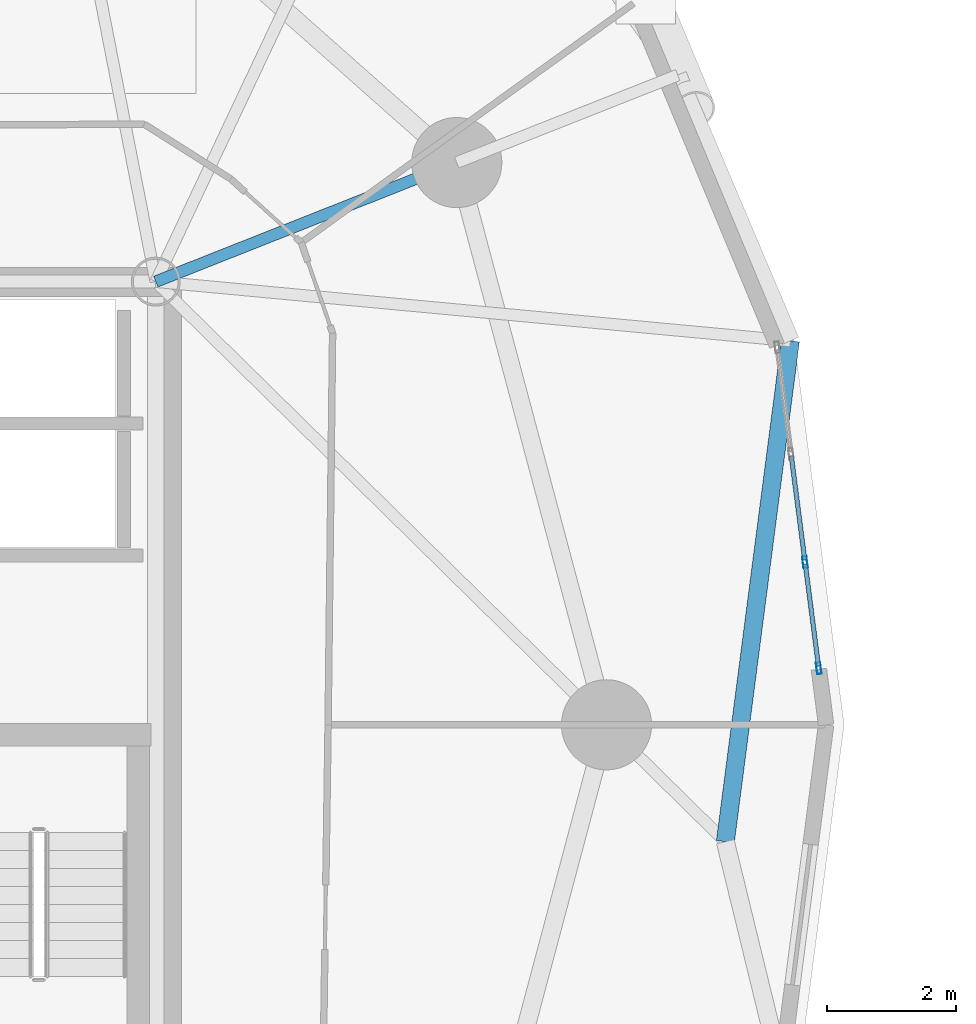
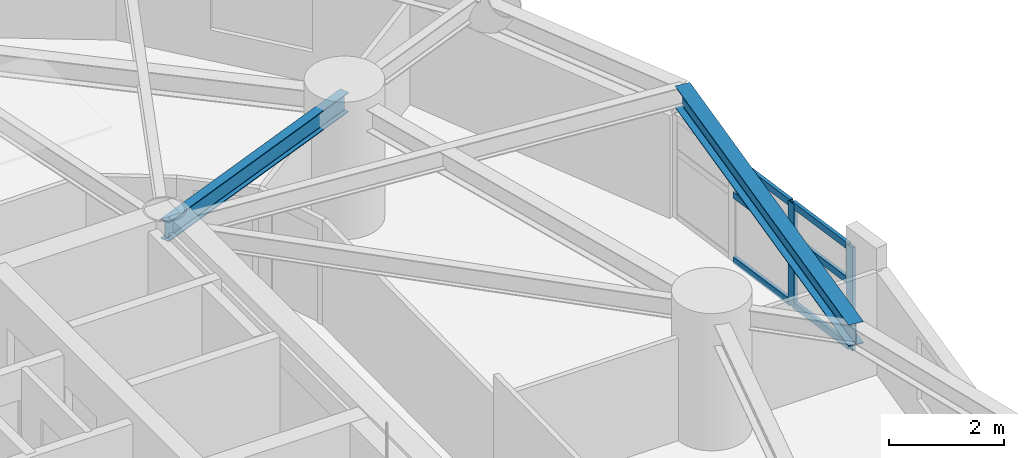
# One storey, part 2 of 18: 8 members, 2 beams, 1 element without a shape of its own.
"""IFC4 building model written with IfcOpenShell, lengths in metres."""

from ifc_helpers import new_model, si_unit, direction, frame, origin, origin_2d, place, context, subcontext, project, spatial, hollow_rectangle, i_section, extrude, material, layer, layer_set, material_profile, profile_set, type_object, element, aggregate, save


model = new_model("IFC4")

# Units and contexts
model_context = context("Model", 3, precision=1e-05, world=origin(), true_north=direction((0.0, 1.0)))
body_context = subcontext(model_context, "Body", "Model", "MODEL_VIEW")
ifc_project = project(units=[si_unit("LENGTHUNIT", "METRE"), si_unit("AREAUNIT", "SQUARE_METRE"), si_unit("VOLUMEUNIT", "CUBIC_METRE"), si_unit("PLANEANGLEUNIT", "RADIAN"), si_unit("MASSUNIT", "GRAM", prefix="KILO")], contexts=[model_context])

# Site, building, storey
site_placement = place(None, origin())
site = spatial("IfcSite", under=ifc_project, at=site_placement, CompositionType="ELEMENT")
building_placement = place(site_placement, origin())
building = spatial("IfcBuilding", under=site, at=building_placement, Name="Cununo Teusaquillo Station Towers", CompositionType="ELEMENT")
storey_placement = place(building_placement, frame((0.0, 0.0, 102.159912109375)))
storey = spatial("IfcBuildingStorey", under=building, at=storey_placement, Name="L32", CompositionType="ELEMENT", Elevation=102.159912109375)

# Beams
ifc_material_1 = material(Name="Steel ASTM A572 Grade 50", Category="steel")
ifc_material_profile_1 = material_profile(ifc_material_1, i_section(OverallWidth=0.180908203125, OverallDepth=0.4169921875, WebThickness=0.010986328125, FlangeThickness=0.018310546875, FilletRadius=0.012939453125, at=origin_2d()), Name="W16X57")
ifc_profile_set_1 = profile_set([ifc_material_profile_1], Name="Steel ASTM A572 Grade 50")
beam_type_1 = type_object("IfcBeamType", Name="BM-RAD-G2", PredefinedType="BEAM", material=ifc_profile_set_1)
beam_1_placement = place(storey_placement, frame((21.675048828125, 31.3798828125, 2.461669921875), z_axis=(0.929864104313, 0.367903176814, 0.0), x_axis=(-0.367903176814, 0.929864104313, 0.0)))
element("IfcBeam", 1, at=beam_1_placement, inside=storey, type_object=beam_type_1, Name="L32 Tower A Radial Girder 02A", PredefinedType="BEAM", context=body_context, shape_type="SweptSolid", body=[
    extrude(i_section(OverallWidth=0.180908203125, OverallDepth=0.4169921875, WebThickness=0.010986328125, FlangeThickness=0.018310546875, FilletRadius=0.012939453125, at=origin_2d()), origin(), (0.0, 0.0, 1.0), 5.02490234375),
])
ifc_material_2 = material(Name="Steel ASTM A572 Grade 50", Category="steel")
ifc_material_profile_2 = material_profile(ifc_material_2, i_section(OverallWidth=0.280029296875, OverallDepth=0.462890625, WebThickness=0.0107421875, FlangeThickness=0.017333984375, FilletRadius=0.013916015625, at=origin_2d()), Name="W18X76")
ifc_profile_set_2 = profile_set([ifc_material_profile_2], Name="Steel ASTM A572 Grade 50")
beam_type_2 = type_object("IfcBeamType", Name="BM-RING-Z2", PredefinedType="SPANDREL", material=ifc_profile_set_2)
beam_2_placement = place(storey_placement, frame((30.51708984375, 22.685791015625, 2.4384765625), z_axis=(0.12888124113, 0.991660035337, 0.0), x_axis=(-0.991660035337, 0.12888124113, 0.0)))
element("IfcBeam", 2, at=beam_2_placement, inside=storey, type_object=beam_type_2, Name="L32 Tower A Spandrel Ring Beam 01", PredefinedType="SPANDREL", context=body_context, shape_type="SweptSolid", body=[
    extrude(i_section(OverallWidth=0.280029296875, OverallDepth=0.462890625, WebThickness=0.0107421875, FlangeThickness=0.017333984375, FilletRadius=0.013916015625, at=origin_2d()), origin(), (0.0, 0.0, 1.0), 7.840576171875),
])

# Curtain wall, members
ifc_material_3 = material(Name="Ceramic-fritted dark low-E double glazing", Category="glass")
ifc_layer = layer(ifc_material_3, 0.179931640625)
ifc_layer_set = layer_set([ifc_layer], Name="Ceramic-fritted dark low-E double glazing")
curtain_wall_type = type_object("IfcCurtainWallType", Name="CW-SYS-04", PredefinedType="USERDEFINED", material=ifc_layer_set)
curtain_wall_placement = place(storey_placement, origin())
curtain_wall = element("IfcCurtainWall", 3, at=curtain_wall_placement, inside=storey, type_object=curtain_wall_type, Name="L32 Tower A Facade Curtain Wall C00", ObjectType="FRITTED GLAZING", PredefinedType="USERDEFINED")
ifc_material_4 = material(Name="Anodised dark bronze aluminium EN AW-6063-T6", Category="aluminium")
ifc_material_profile_3 = material_profile(ifc_material_4, hollow_rectangle(XDim=0.070068359375, YDim=0.179931640625, WallThickness=0.00390625, at=origin_2d()), Name="CW-MULL-70x180")
ifc_profile_set_3 = profile_set([ifc_material_profile_3], Name="Anodised dark bronze aluminium EN AW-6063-T6")
member_type_1 = type_object("IfcMemberType", Name="CWM-180", PredefinedType="MULLION", material=ifc_profile_set_3)
member_1_placement = place(storey_placement, frame((31.754150390625, 27.0263671875, 0.0), z_axis=(0.0, 0.0, 1.0), x_axis=(0.991730764367, 0.128335852387, 0.0)))
member_1 = element("IfcMember", 4, at=member_1_placement, type_object=member_type_1, Name="CW-04 mullion 3", PredefinedType="MULLION", context=body_context, shape_type="SweptSolid", body=[
    extrude(hollow_rectangle(XDim=0.070068359375, YDim=0.179931640625, WallThickness=0.00390625, at=origin_2d()), origin(), (0.0, 0.0, 1.0), 2.17919921875),
])
member_2_placement = place(storey_placement, frame((31.967529296875, 25.377685546875, 0.0), z_axis=(0.0, 0.0, 1.0), x_axis=(0.991730764367, 0.128335852387, 0.0)))
member_2 = element("IfcMember", 5, at=member_2_placement, type_object=member_type_1, Name="CW-04 mullion 4", PredefinedType="MULLION", context=body_context, shape_type="SweptSolid", body=[
    extrude(hollow_rectangle(XDim=0.070068359375, YDim=0.179931640625, WallThickness=0.00390625, at=origin_2d()), origin(), (0.0, 0.0, 1.0), 2.17919921875),
])
ifc_material_5 = material(Name="Anodised dark bronze aluminium EN AW-6063-T6", Category="aluminium")
ifc_material_profile_4 = material_profile(ifc_material_5, hollow_rectangle(XDim=0.070068359375, YDim=0.139892578125, WallThickness=0.00390625, at=origin_2d()), Name="CW-TRAN-70x140")
ifc_profile_set_4 = profile_set([ifc_material_profile_4], Name="Anodised dark bronze aluminium EN AW-6063-T6")
member_type_2 = type_object("IfcMemberType", Name="CWT-140", PredefinedType="USERDEFINED", material=ifc_profile_set_4)
member_3_placement = place(storey_placement, frame((31.540771484375, 28.675048828125, 0.03515625), z_axis=(0.128261686134, -0.991740359101, 0.0), x_axis=(0.991740359101, 0.128261686134, 0.0)))
member_3 = element("IfcMember", 6, at=member_3_placement, type_object=member_type_2, Name="CW-04 transom 2.1", ObjectType="TRANSOM", PredefinedType="USERDEFINED", context=body_context, shape_type="SweptSolid", body=[
    extrude(hollow_rectangle(XDim=0.070068359375, YDim=0.139892578125, WallThickness=0.00390625, at=origin_2d()), origin(), (0.0, 0.0, 1.0), 1.62744140625),
])
member_4_placement = place(storey_placement, frame((31.540771484375, 28.675048828125, 1.416015625), z_axis=(0.128261686134, -0.991740359101, 0.0), x_axis=(0.991740359101, 0.128261686134, 0.0)))
member_4 = element("IfcMember", 7, at=member_4_placement, type_object=member_type_2, Name="CW-04 transom 2.2", ObjectType="TRANSOM", PredefinedType="USERDEFINED", context=body_context, shape_type="SweptSolid", body=[
    extrude(hollow_rectangle(XDim=0.070068359375, YDim=0.139892578125, WallThickness=0.00390625, at=origin_2d()), origin(), (0.0, 0.0, 1.0), 1.62744140625),
])
member_5_placement = place(storey_placement, frame((31.540771484375, 28.675048828125, 2.14404296875), z_axis=(0.128261686134, -0.991740359101, 0.0), x_axis=(0.991740359101, 0.128261686134, 0.0)))
member_5 = element("IfcMember", 8, at=member_5_placement, type_object=member_type_2, Name="CW-04 transom 2.3", ObjectType="TRANSOM", PredefinedType="USERDEFINED", context=body_context, shape_type="SweptSolid", body=[
    extrude(hollow_rectangle(XDim=0.070068359375, YDim=0.139892578125, WallThickness=0.00390625, at=origin_2d()), origin(), (0.0, 0.0, 1.0), 1.62744140625),
])
member_6_placement = place(storey_placement, frame((31.758544921875, 26.99169921875, 0.03515625), z_axis=(0.128316698748, -0.991733242774, 0.0), x_axis=(0.991733242774, 0.128316698748, 0.0)))
member_6 = element("IfcMember", 9, at=member_6_placement, type_object=member_type_2, Name="CW-04 transom 3.1", ObjectType="TRANSOM", PredefinedType="USERDEFINED", context=body_context, shape_type="SweptSolid", body=[
    extrude(hollow_rectangle(XDim=0.070068359375, YDim=0.139892578125, WallThickness=0.00390625, at=origin_2d()), origin(), (0.0, 0.0, 1.0), 1.592529296875),
])
member_7_placement = place(storey_placement, frame((31.758544921875, 26.99169921875, 1.416015625), z_axis=(0.128316698748, -0.991733242774, 0.0), x_axis=(0.991733242774, 0.128316698748, 0.0)))
member_7 = element("IfcMember", 10, at=member_7_placement, type_object=member_type_2, Name="CW-04 transom 3.2", ObjectType="TRANSOM", PredefinedType="USERDEFINED", context=body_context, shape_type="SweptSolid", body=[
    extrude(hollow_rectangle(XDim=0.070068359375, YDim=0.139892578125, WallThickness=0.00390625, at=origin_2d()), origin(), (0.0, 0.0, 1.0), 1.592529296875),
])
member_8_placement = place(storey_placement, frame((31.758544921875, 26.99169921875, 2.14404296875), z_axis=(0.128316698748, -0.991733242774, 0.0), x_axis=(0.991733242774, 0.128316698748, 0.0)))
member_8 = element("IfcMember", 11, at=member_8_placement, type_object=member_type_2, Name="CW-04 transom 3.3", ObjectType="TRANSOM", PredefinedType="USERDEFINED", context=body_context, shape_type="SweptSolid", body=[
    extrude(hollow_rectangle(XDim=0.070068359375, YDim=0.139892578125, WallThickness=0.00390625, at=origin_2d()), origin(), (0.0, 0.0, 1.0), 1.592529296875),
])
aggregate(curtain_wall, [member_1, member_2, member_3, member_4, member_5, member_6, member_7, member_8])

save(model, "model.ifc")
